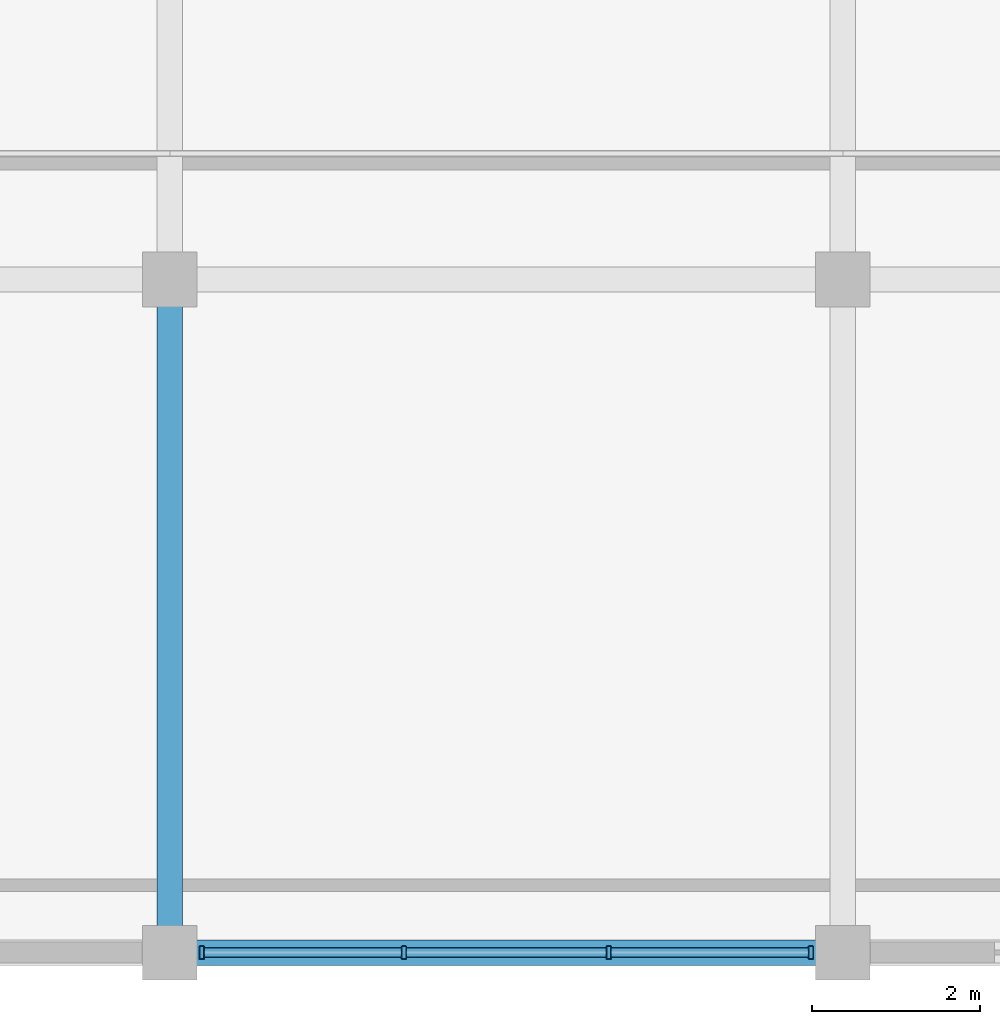
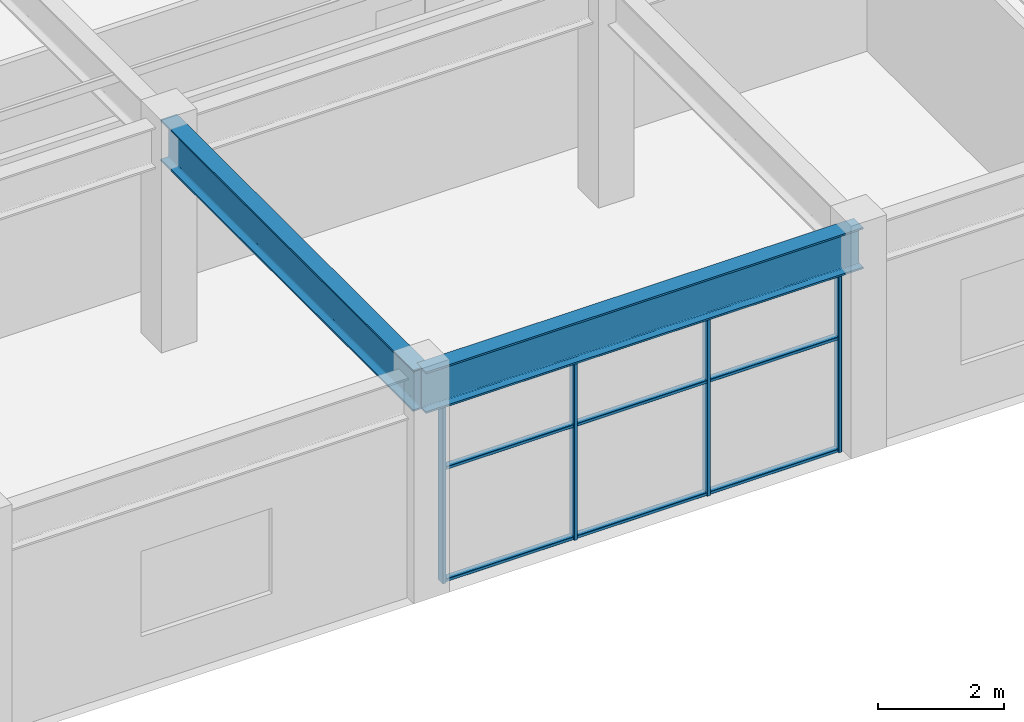
# One storey, part 4 of 46: 13 members, 2 beams, 1 element without a shape of its own.
"""IFC4 building model written with IfcOpenShell, lengths in metres."""

from ifc_helpers import new_model, si_unit, direction, frame, origin, origin_2d, place, context, subcontext, project, spatial, hollow_rectangle, i_section, extrude, material, layer, layer_set, material_profile, profile_set, type_object, element, aggregate, save


model = new_model("IFC4")

# Units and contexts
model_context = context("Model", 3, precision=1e-05, world=origin(), true_north=direction((0.0, 1.0)))
body_context = subcontext(model_context, "Body", "Model", "MODEL_VIEW")
ifc_project = project(units=[si_unit("LENGTHUNIT", "METRE"), si_unit("AREAUNIT", "SQUARE_METRE"), si_unit("VOLUMEUNIT", "CUBIC_METRE"), si_unit("PLANEANGLEUNIT", "RADIAN"), si_unit("MASSUNIT", "GRAM", prefix="KILO")], contexts=[model_context])

# Site, building, storey
site_placement = place(None, origin())
site = spatial("IfcSite", under=ifc_project, at=site_placement, CompositionType="ELEMENT")
building_placement = place(site_placement, origin())
building = spatial("IfcBuilding", under=site, at=building_placement, Name="Kelanora Arch Commons", CompositionType="ELEMENT")
storey_placement = place(building_placement, frame((0.0, 0.0, 18.0)))
storey = spatial("IfcBuildingStorey", under=building, at=storey_placement, Name="L04", CompositionType="ELEMENT", Elevation=18.0)

# Beams
ifc_material_1 = material(Name="Steel S355", Category="steel")
ifc_material_profile_1 = material_profile(ifc_material_1, i_section(OverallWidth=0.300048828125, OverallDepth=0.800048828125, WebThickness=0.017578125, FlangeThickness=0.032958984375, FilletRadius=0.030029296875, at=origin_2d()), Name="HEB800")
ifc_profile_set_1 = profile_set([ifc_material_profile_1], Name="Steel S355")
beam_type = type_object("IfcBeamType", Name="BM-MKT-ROOF", PredefinedType="USERDEFINED", material=ifc_profile_set_1)
for number, where, z_axis, x_axis, name in (
    (1, (60.0, 4.0, 3.860107421875), (1.0, 0.0, 0.0), (0.0, 1.0, 0.0), "Market/Basement Frame Beam 108 L04"),
    (2, (60.0, 4.0, 3.860107421875), (0.0, 1.0, 0.0), (-1.0, 0.0, 0.0), "Market/Basement Frame Beam 109 L04"),
):
    element("IfcBeam", number, at=place(storey_placement, frame(where, z_axis=z_axis, x_axis=x_axis)), inside=storey, type_object=beam_type, Name=name, ObjectType="TRANSFER_GIRDER", PredefinedType="USERDEFINED", context=body_context, shape_type="SweptSolid", body=[
        extrude(i_section(OverallWidth=0.300048828125, OverallDepth=0.800048828125, WebThickness=0.017578125, FlangeThickness=0.032958984375, FilletRadius=0.030029296875, at=origin_2d()), origin(), (0.0, 0.0, 1.0), 8.0),
    ])

# Curtain wall, members
ifc_material_2 = material(Name="Terracotta ceramic-fritted low-E glass and aluminium", Category="masonry")
ifc_layer = layer(ifc_material_2, 0.16796875)
ifc_layer_set = layer_set([ifc_layer], Name="Terracotta ceramic-fritted low-E glass and aluminium")
curtain_wall_type = type_object("IfcCurtainWallType", Name="CW-SYS-07", PredefinedType="NOTDEFINED", material=ifc_layer_set)
curtain_wall_placement = place(storey_placement, origin())
curtain_wall = element("IfcCurtainWall", 3, at=curtain_wall_placement, inside=storey, type_object=curtain_wall_type, Name="Market Hall Arcade Curtain Wall L04-07", PredefinedType="NOTDEFINED")
ifc_material_3 = material(Name="Powder-coated aluminium terracotta", Category="masonry")
ifc_material_profile_2 = material_profile(ifc_material_3, hollow_rectangle(XDim=0.159912109375, YDim=0.06005859375, WallThickness=0.0048828125, InnerFilletRadius=0.0048828125, OuterFilletRadius=0.010009765625, at=origin_2d()), Name="CWM160x60")
ifc_profile_set_2 = profile_set([ifc_material_profile_2], Name="Powder-coated aluminium terracotta")
member_type_1 = type_object("IfcMemberType", Name="CWM-STD", PredefinedType="MULLION", material=ifc_profile_set_2)
member_1_placement = place(storey_placement, frame((60.3798828125, 4.0, 0.0), z_axis=(0.0, 0.0, 1.0), x_axis=(0.0, 1.0, 0.0)))
member_1 = element("IfcMember", 4, at=member_1_placement, type_object=member_type_1, Name="CW-07 mullion 1", PredefinedType="MULLION", context=body_context, shape_type="SweptSolid", body=[
    extrude(hollow_rectangle(XDim=0.159912109375, YDim=0.06005859375, WallThickness=0.0048828125, InnerFilletRadius=0.0048828125, OuterFilletRadius=0.010009765625, at=origin_2d()), origin(), (0.0, 0.0, 1.0), 3.43994140625),
])
member_2_placement = place(storey_placement, frame((62.783447265625, 4.0, 0.0), z_axis=(0.0, 0.0, 1.0), x_axis=(0.0, 1.0, 0.0)))
member_2 = element("IfcMember", 5, at=member_2_placement, type_object=member_type_1, Name="CW-07 mullion 2", PredefinedType="MULLION", context=body_context, shape_type="SweptSolid", body=[
    extrude(hollow_rectangle(XDim=0.159912109375, YDim=0.06005859375, WallThickness=0.0048828125, InnerFilletRadius=0.0048828125, OuterFilletRadius=0.010009765625, at=origin_2d()), origin(), (0.0, 0.0, 1.0), 3.43994140625),
])
member_3_placement = place(storey_placement, frame((65.216552734375, 4.0, 0.0), z_axis=(0.0, 0.0, 1.0), x_axis=(0.0, 1.0, 0.0)))
member_3 = element("IfcMember", 6, at=member_3_placement, type_object=member_type_1, Name="CW-07 mullion 3", PredefinedType="MULLION", context=body_context, shape_type="SweptSolid", body=[
    extrude(hollow_rectangle(XDim=0.159912109375, YDim=0.06005859375, WallThickness=0.0048828125, InnerFilletRadius=0.0048828125, OuterFilletRadius=0.010009765625, at=origin_2d()), origin(), (0.0, 0.0, 1.0), 3.43994140625),
])
member_4_placement = place(storey_placement, frame((67.6201171875, 4.0, 0.0), z_axis=(0.0, 0.0, 1.0), x_axis=(0.0, 1.0, 0.0)))
member_4 = element("IfcMember", 7, at=member_4_placement, type_object=member_type_1, Name="CW-07 mullion 4", PredefinedType="MULLION", context=body_context, shape_type="SweptSolid", body=[
    extrude(hollow_rectangle(XDim=0.159912109375, YDim=0.06005859375, WallThickness=0.0048828125, InnerFilletRadius=0.0048828125, OuterFilletRadius=0.010009765625, at=origin_2d()), origin(), (0.0, 0.0, 1.0), 3.43994140625),
])
ifc_material_profile_3 = material_profile(ifc_material_3, hollow_rectangle(XDim=0.1201171875, YDim=0.06005859375, WallThickness=0.0048828125, InnerFilletRadius=0.0048828125, OuterFilletRadius=0.010009765625, at=origin_2d()), Name="CWT120x60")
ifc_profile_set_3 = profile_set([ifc_material_profile_3], Name="Powder-coated aluminium terracotta")
member_type_2 = type_object("IfcMemberType", Name="CWT-STD", PredefinedType="USERDEFINED", material=ifc_profile_set_3)
member_5_placement = place(storey_placement, frame((60.409912109375, 4.0, 0.030029296875), z_axis=(1.0, 0.0, 0.0), x_axis=(0.0, 1.0, 0.0)))
member_5 = element("IfcMember", 8, at=member_5_placement, type_object=member_type_2, Name="CW-07 transom 1.1", ObjectType="TRANSOM", PredefinedType="USERDEFINED", context=body_context, shape_type="SweptSolid", body=[
    extrude(hollow_rectangle(XDim=0.1201171875, YDim=0.06005859375, WallThickness=0.0048828125, InnerFilletRadius=0.0048828125, OuterFilletRadius=0.010009765625, at=origin_2d()), origin(), (0.0, 0.0, 1.0), 2.343505859375),
])
member_6_placement = place(storey_placement, frame((60.409912109375, 4.0, 2.199951171875), z_axis=(1.0, 0.0, 0.0), x_axis=(0.0, 1.0, 0.0)))
member_6 = element("IfcMember", 9, at=member_6_placement, type_object=member_type_2, Name="CW-07 transom 1.2", ObjectType="TRANSOM", PredefinedType="USERDEFINED", context=body_context, shape_type="SweptSolid", body=[
    extrude(hollow_rectangle(XDim=0.1201171875, YDim=0.06005859375, WallThickness=0.0048828125, InnerFilletRadius=0.0048828125, OuterFilletRadius=0.010009765625, at=origin_2d()), origin(), (0.0, 0.0, 1.0), 2.343505859375),
])
member_7_placement = place(storey_placement, frame((60.409912109375, 4.0, 3.409912109375), z_axis=(1.0, 0.0, 0.0), x_axis=(0.0, 1.0, 0.0)))
member_7 = element("IfcMember", 10, at=member_7_placement, type_object=member_type_2, Name="CW-07 transom 1.3", ObjectType="TRANSOM", PredefinedType="USERDEFINED", context=body_context, shape_type="SweptSolid", body=[
    extrude(hollow_rectangle(XDim=0.1201171875, YDim=0.06005859375, WallThickness=0.0048828125, InnerFilletRadius=0.0048828125, OuterFilletRadius=0.010009765625, at=origin_2d()), origin(), (0.0, 0.0, 1.0), 2.343505859375),
])
member_8_placement = place(storey_placement, frame((62.813232421875, 4.0, 0.030029296875), z_axis=(1.0, 0.0, 0.0), x_axis=(0.0, 1.0, 0.0)))
member_8 = element("IfcMember", 11, at=member_8_placement, type_object=member_type_2, Name="CW-07 transom 2.1", ObjectType="TRANSOM", PredefinedType="USERDEFINED", context=body_context, shape_type="SweptSolid", body=[
    extrude(hollow_rectangle(XDim=0.1201171875, YDim=0.06005859375, WallThickness=0.0048828125, InnerFilletRadius=0.0048828125, OuterFilletRadius=0.010009765625, at=origin_2d()), origin(), (0.0, 0.0, 1.0), 2.37353515625),
])
member_9_placement = place(storey_placement, frame((62.813232421875, 4.0, 2.199951171875), z_axis=(1.0, 0.0, 0.0), x_axis=(0.0, 1.0, 0.0)))
member_9 = element("IfcMember", 12, at=member_9_placement, type_object=member_type_2, Name="CW-07 transom 2.2", ObjectType="TRANSOM", PredefinedType="USERDEFINED", context=body_context, shape_type="SweptSolid", body=[
    extrude(hollow_rectangle(XDim=0.1201171875, YDim=0.06005859375, WallThickness=0.0048828125, InnerFilletRadius=0.0048828125, OuterFilletRadius=0.010009765625, at=origin_2d()), origin(), (0.0, 0.0, 1.0), 2.37353515625),
])
member_10_placement = place(storey_placement, frame((62.813232421875, 4.0, 3.409912109375), z_axis=(1.0, 0.0, 0.0), x_axis=(0.0, 1.0, 0.0)))
member_10 = element("IfcMember", 13, at=member_10_placement, type_object=member_type_2, Name="CW-07 transom 2.3", ObjectType="TRANSOM", PredefinedType="USERDEFINED", context=body_context, shape_type="SweptSolid", body=[
    extrude(hollow_rectangle(XDim=0.1201171875, YDim=0.06005859375, WallThickness=0.0048828125, InnerFilletRadius=0.0048828125, OuterFilletRadius=0.010009765625, at=origin_2d()), origin(), (0.0, 0.0, 1.0), 2.37353515625),
])
member_11_placement = place(storey_placement, frame((65.24658203125, 4.0, 0.030029296875), z_axis=(1.0, 0.0, 0.0), x_axis=(0.0, 1.0, 0.0)))
member_11 = element("IfcMember", 14, at=member_11_placement, type_object=member_type_2, Name="CW-07 transom 3.1", ObjectType="TRANSOM", PredefinedType="USERDEFINED", context=body_context, shape_type="SweptSolid", body=[
    extrude(hollow_rectangle(XDim=0.1201171875, YDim=0.06005859375, WallThickness=0.0048828125, InnerFilletRadius=0.0048828125, OuterFilletRadius=0.010009765625, at=origin_2d()), origin(), (0.0, 0.0, 1.0), 2.343505859375),
])
member_12_placement = place(storey_placement, frame((65.24658203125, 4.0, 2.199951171875), z_axis=(1.0, 0.0, 0.0), x_axis=(0.0, 1.0, 0.0)))
member_12 = element("IfcMember", 15, at=member_12_placement, type_object=member_type_2, Name="CW-07 transom 3.2", ObjectType="TRANSOM", PredefinedType="USERDEFINED", context=body_context, shape_type="SweptSolid", body=[
    extrude(hollow_rectangle(XDim=0.1201171875, YDim=0.06005859375, WallThickness=0.0048828125, InnerFilletRadius=0.0048828125, OuterFilletRadius=0.010009765625, at=origin_2d()), origin(), (0.0, 0.0, 1.0), 2.343505859375),
])
member_13_placement = place(storey_placement, frame((65.24658203125, 4.0, 3.409912109375), z_axis=(1.0, 0.0, 0.0), x_axis=(0.0, 1.0, 0.0)))
member_13 = element("IfcMember", 16, at=member_13_placement, type_object=member_type_2, Name="CW-07 transom 3.3", ObjectType="TRANSOM", PredefinedType="USERDEFINED", context=body_context, shape_type="SweptSolid", body=[
    extrude(hollow_rectangle(XDim=0.1201171875, YDim=0.06005859375, WallThickness=0.0048828125, InnerFilletRadius=0.0048828125, OuterFilletRadius=0.010009765625, at=origin_2d()), origin(), (0.0, 0.0, 1.0), 2.343505859375),
])
aggregate(curtain_wall, [member_1, member_2, member_3, member_4, member_5, member_6, member_7, member_8, member_9, member_10, member_11, member_12, member_13])

save(model, "model.ifc")
